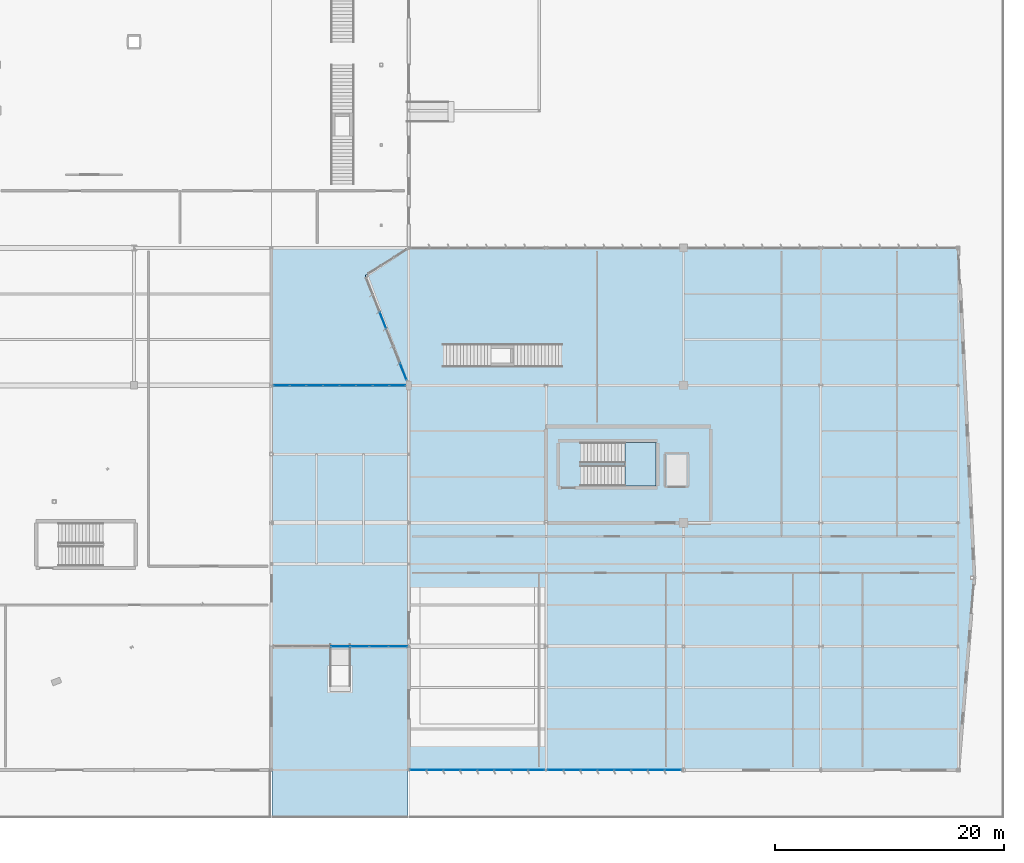
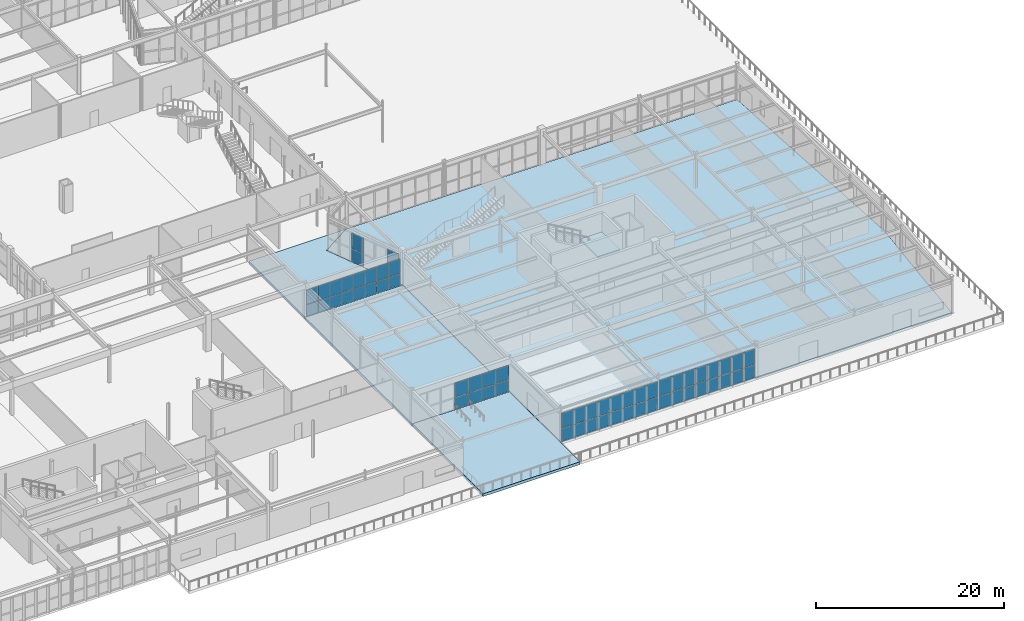
# One storey, part 122 of 199: 60 plates, 5 slabs, 6 elements without a shape of their own.
"""IFC4 building model written with IfcOpenShell, lengths in metres."""

from ifc_helpers import new_model, si_unit, direction, frame, origin, origin_2d, place, context, subcontext, project, spatial, polyline, rectangle, outline, extrude, material, layer, layer_set, type_object, element, aggregate, save


model = new_model("IFC4")

# Units and contexts
model_context = context("Model", 3, precision=1e-05, world=origin(), true_north=direction((0.0, 1.0)))
body_context = subcontext(model_context, "Body", "Model", "MODEL_VIEW")
ifc_project = project(units=[si_unit("LENGTHUNIT", "METRE"), si_unit("AREAUNIT", "SQUARE_METRE"), si_unit("VOLUMEUNIT", "CUBIC_METRE"), si_unit("PLANEANGLEUNIT", "RADIAN"), si_unit("MASSUNIT", "GRAM", prefix="KILO")], contexts=[model_context])

# Site, building, storey
site_placement = place(None, origin())
site = spatial("IfcSite", under=ifc_project, at=site_placement, CompositionType="ELEMENT")
building_placement = place(site_placement, origin())
building = spatial("IfcBuilding", under=site, at=building_placement, Name="Tarnwether General Hospital", CompositionType="ELEMENT")
storey_placement = place(building_placement, origin())
storey = spatial("IfcBuildingStorey", under=building, at=storey_placement, Name="L00", CompositionType="ELEMENT", Elevation=0.0)

# Curtain wall, plates
ifc_material_1 = material(Name="Anodised aluminium", Category="aluminium")
ifc_layer_1 = layer(ifc_material_1, 0.159912109375)
ifc_layer_set_1 = layer_set([ifc_layer_1], Name="Anodised aluminium")
curtain_wall_type_1 = type_object("IfcCurtainWallType", Name="CW-18", PredefinedType="NOTDEFINED", material=ifc_layer_set_1)
curtain_wall_1_placement = place(storey_placement, origin())
curtain_wall_1 = element("IfcCurtainWall", 1, at=curtain_wall_1_placement, inside=storey, type_object=curtain_wall_type_1, Name="Curtain Wall CWG-L00-1678_0-0284", PredefinedType="NOTDEFINED")
ifc_material_2 = material(Name="Double glazed low-E glass", Category="glass")
ifc_layer_2 = layer(ifc_material_2, 0.028076171875)
ifc_layer_set_2 = layer_set([ifc_layer_2], Name="Double glazed low-E glass")
plate_type = type_object("IfcPlateType", Name="PT-CWP1", PredefinedType="CURTAIN_PANEL", material=ifc_layer_set_2)
plate_1_placement = place(storey_placement, frame((167.092041015625, 0.0, 0.06005859375), z_axis=(0.0, 0.0, 1.0), x_axis=(-1.0, 0.0, 0.0)))
plate_1 = element("IfcPlate", 2, at=plate_1_placement, type_object=plate_type, Name="CW-18 panel 1.1", PredefinedType="CURTAIN_PANEL", context=body_context, shape_type="SweptSolid", body=[
    extrude(rectangle(XDim=1.379638671875, YDim=0.028076171875, at=origin_2d()), origin(), (0.0, 0.0, 1.0), 1.628173828125),
])
plate_2_placement = place(storey_placement, frame((167.092041015625, 0.0, 1.748046875), z_axis=(0.0, 0.0, 1.0), x_axis=(-1.0, 0.0, 0.0)))
plate_2 = element("IfcPlate", 3, at=plate_2_placement, type_object=plate_type, Name="CW-18 panel 1.2", PredefinedType="CURTAIN_PANEL", context=body_context, shape_type="SweptSolid", body=[
    extrude(rectangle(XDim=1.379638671875, YDim=0.028076171875, at=origin_2d()), origin(), (0.0, 0.0, 1.0), 2.010009765625),
])
plate_3_placement = place(storey_placement, frame((165.637451171875, 0.0, 0.06005859375), z_axis=(0.0, 0.0, 1.0), x_axis=(-1.0, 0.0, 0.0)))
plate_3 = element("IfcPlate", 4, at=plate_3_placement, type_object=plate_type, Name="CW-18 panel 2.1", PredefinedType="CURTAIN_PANEL", context=body_context, shape_type="SweptSolid", body=[
    extrude(rectangle(XDim=1.40966796875, YDim=0.028076171875, at=origin_2d()), origin(), (0.0, 0.0, 1.0), 1.628173828125),
])
plate_4_placement = place(storey_placement, frame((165.637451171875, 0.0, 1.748046875), z_axis=(0.0, 0.0, 1.0), x_axis=(-1.0, 0.0, 0.0)))
plate_4 = element("IfcPlate", 5, at=plate_4_placement, type_object=plate_type, Name="CW-18 panel 2.2", PredefinedType="CURTAIN_PANEL", context=body_context, shape_type="SweptSolid", body=[
    extrude(rectangle(XDim=1.40966796875, YDim=0.028076171875, at=origin_2d()), origin(), (0.0, 0.0, 1.0), 2.010009765625),
])
plate_5_placement = place(storey_placement, frame((164.167724609375, 0.0, 0.06005859375), z_axis=(0.0, 0.0, 1.0), x_axis=(-1.0, 0.0, 0.0)))
plate_5 = element("IfcPlate", 6, at=plate_5_placement, type_object=plate_type, Name="CW-18 panel 3.1", PredefinedType="CURTAIN_PANEL", context=body_context, shape_type="SweptSolid", body=[
    extrude(rectangle(XDim=1.40966796875, YDim=0.028076171875, at=origin_2d()), origin(), (0.0, 0.0, 1.0), 1.628173828125),
])
plate_6_placement = place(storey_placement, frame((164.167724609375, 0.0, 1.748046875), z_axis=(0.0, 0.0, 1.0), x_axis=(-1.0, 0.0, 0.0)))
plate_6 = element("IfcPlate", 7, at=plate_6_placement, type_object=plate_type, Name="CW-18 panel 3.2", PredefinedType="CURTAIN_PANEL", context=body_context, shape_type="SweptSolid", body=[
    extrude(rectangle(XDim=1.40966796875, YDim=0.028076171875, at=origin_2d()), origin(), (0.0, 0.0, 1.0), 2.010009765625),
])
plate_7_placement = place(storey_placement, frame((162.69775390625, 0.0, 0.06005859375), z_axis=(0.0, 0.0, 1.0), x_axis=(-1.0, 0.0, 0.0)))
plate_7 = element("IfcPlate", 8, at=plate_7_placement, type_object=plate_type, Name="CW-18 panel 4.1", PredefinedType="CURTAIN_PANEL", context=body_context, shape_type="SweptSolid", body=[
    extrude(rectangle(XDim=1.40966796875, YDim=0.028076171875, at=origin_2d()), origin(), (0.0, 0.0, 1.0), 1.628173828125),
])
plate_8_placement = place(storey_placement, frame((162.69775390625, 0.0, 1.748046875), z_axis=(0.0, 0.0, 1.0), x_axis=(-1.0, 0.0, 0.0)))
plate_8 = element("IfcPlate", 9, at=plate_8_placement, type_object=plate_type, Name="CW-18 panel 4.2", PredefinedType="CURTAIN_PANEL", context=body_context, shape_type="SweptSolid", body=[
    extrude(rectangle(XDim=1.40966796875, YDim=0.028076171875, at=origin_2d()), origin(), (0.0, 0.0, 1.0), 2.010009765625),
])
plate_9_placement = place(storey_placement, frame((161.22802734375, 0.0, 0.06005859375), z_axis=(0.0, 0.0, 1.0), x_axis=(-1.0, 0.0, 0.0)))
plate_9 = element("IfcPlate", 10, at=plate_9_placement, type_object=plate_type, Name="CW-18 panel 5.1", PredefinedType="CURTAIN_PANEL", context=body_context, shape_type="SweptSolid", body=[
    extrude(rectangle(XDim=1.40966796875, YDim=0.028076171875, at=origin_2d()), origin(), (0.0, 0.0, 1.0), 1.628173828125),
])
plate_10_placement = place(storey_placement, frame((161.22802734375, 0.0, 1.748046875), z_axis=(0.0, 0.0, 1.0), x_axis=(-1.0, 0.0, 0.0)))
plate_10 = element("IfcPlate", 11, at=plate_10_placement, type_object=plate_type, Name="CW-18 panel 5.2", PredefinedType="CURTAIN_PANEL", context=body_context, shape_type="SweptSolid", body=[
    extrude(rectangle(XDim=1.40966796875, YDim=0.028076171875, at=origin_2d()), origin(), (0.0, 0.0, 1.0), 2.010009765625),
])
plate_11_placement = place(storey_placement, frame((159.75830078125, 0.0, 0.06005859375), z_axis=(0.0, 0.0, 1.0), x_axis=(-1.0, 0.0, 0.0)))
plate_11 = element("IfcPlate", 12, at=plate_11_placement, type_object=plate_type, Name="CW-18 panel 6.1", PredefinedType="CURTAIN_PANEL", context=body_context, shape_type="SweptSolid", body=[
    extrude(rectangle(XDim=1.40966796875, YDim=0.028076171875, at=origin_2d()), origin(), (0.0, 0.0, 1.0), 1.628173828125),
])
plate_12_placement = place(storey_placement, frame((159.75830078125, 0.0, 1.748046875), z_axis=(0.0, 0.0, 1.0), x_axis=(-1.0, 0.0, 0.0)))
plate_12 = element("IfcPlate", 13, at=plate_12_placement, type_object=plate_type, Name="CW-18 panel 6.2", PredefinedType="CURTAIN_PANEL", context=body_context, shape_type="SweptSolid", body=[
    extrude(rectangle(XDim=1.40966796875, YDim=0.028076171875, at=origin_2d()), origin(), (0.0, 0.0, 1.0), 2.010009765625),
])
plate_13_placement = place(storey_placement, frame((158.28857421875, 0.0, 0.06005859375), z_axis=(0.0, 0.0, 1.0), x_axis=(-1.0, 0.0, 0.0)))
plate_13 = element("IfcPlate", 14, at=plate_13_placement, type_object=plate_type, Name="CW-18 panel 7.1", PredefinedType="CURTAIN_PANEL", context=body_context, shape_type="SweptSolid", body=[
    extrude(rectangle(XDim=1.40966796875, YDim=0.028076171875, at=origin_2d()), origin(), (0.0, 0.0, 1.0), 1.628173828125),
])
plate_14_placement = place(storey_placement, frame((158.28857421875, 0.0, 1.748046875), z_axis=(0.0, 0.0, 1.0), x_axis=(-1.0, 0.0, 0.0)))
plate_14 = element("IfcPlate", 15, at=plate_14_placement, type_object=plate_type, Name="CW-18 panel 7.2", PredefinedType="CURTAIN_PANEL", context=body_context, shape_type="SweptSolid", body=[
    extrude(rectangle(XDim=1.40966796875, YDim=0.028076171875, at=origin_2d()), origin(), (0.0, 0.0, 1.0), 2.010009765625),
])
plate_15_placement = place(storey_placement, frame((156.833984375, 0.0, 0.06005859375), z_axis=(0.0, 0.0, 1.0), x_axis=(-1.0, 0.0, 0.0)))
plate_15 = element("IfcPlate", 16, at=plate_15_placement, type_object=plate_type, Name="CW-18 panel 8.1", PredefinedType="CURTAIN_PANEL", context=body_context, shape_type="SweptSolid", body=[
    extrude(rectangle(XDim=1.379638671875, YDim=0.028076171875, at=origin_2d()), origin(), (0.0, 0.0, 1.0), 1.628173828125),
])
plate_16_placement = place(storey_placement, frame((156.833984375, 0.0, 1.748046875), z_axis=(0.0, 0.0, 1.0), x_axis=(-1.0, 0.0, 0.0)))
plate_16 = element("IfcPlate", 17, at=plate_16_placement, type_object=plate_type, Name="CW-18 panel 8.2", PredefinedType="CURTAIN_PANEL", context=body_context, shape_type="SweptSolid", body=[
    extrude(rectangle(XDim=1.379638671875, YDim=0.028076171875, at=origin_2d()), origin(), (0.0, 0.0, 1.0), 2.010009765625),
])
aggregate(curtain_wall_1, [plate_1, plate_2, plate_3, plate_4, plate_5, plate_6, plate_7, plate_8, plate_9, plate_10, plate_11, plate_12, plate_13, plate_14, plate_15, plate_16])

curtain_wall_2_placement = place(storey_placement, origin())
curtain_wall_2 = element("IfcCurtainWall", 18, at=curtain_wall_2_placement, inside=storey, type_object=curtain_wall_type_1, Name="Curtain Wall CWG-L00-1559_0-0285", PredefinedType="NOTDEFINED")
plate_17_placement = place(storey_placement, frame((155.16162109375, 0.0, 0.06005859375), z_axis=(0.0, 0.0, 1.0), x_axis=(-1.0, 0.0, 0.0)))
plate_17 = element("IfcPlate", 19, at=plate_17_placement, type_object=plate_type, Name="CW-18 panel 1.1", PredefinedType="CURTAIN_PANEL", context=body_context, shape_type="SweptSolid", body=[
    extrude(rectangle(XDim=1.388916015625, YDim=0.028076171875, at=origin_2d()), origin(), (0.0, 0.0, 1.0), 1.592041015625),
])
plate_18_placement = place(storey_placement, frame((155.16162109375, 0.0, 1.712158203125), z_axis=(0.0, 0.0, 1.0), x_axis=(-1.0, 0.0, 0.0)))
plate_18 = element("IfcPlate", 20, at=plate_18_placement, type_object=plate_type, Name="CW-18 panel 1.2", PredefinedType="CURTAIN_PANEL", context=body_context, shape_type="SweptSolid", body=[
    extrude(rectangle(XDim=1.388916015625, YDim=0.028076171875, at=origin_2d()), origin(), (0.0, 0.0, 1.0), 1.9658203125),
])
plate_19_placement = place(storey_placement, frame((153.697509765625, 0.0, 0.06005859375), z_axis=(0.0, 0.0, 1.0), x_axis=(-1.0, 0.0, 0.0)))
plate_19 = element("IfcPlate", 21, at=plate_19_placement, type_object=plate_type, Name="CW-18 panel 2.1", PredefinedType="CURTAIN_PANEL", context=body_context, shape_type="SweptSolid", body=[
    extrude(rectangle(XDim=1.4189453125, YDim=0.028076171875, at=origin_2d()), origin(), (0.0, 0.0, 1.0), 1.592041015625),
])
plate_20_placement = place(storey_placement, frame((153.697509765625, 0.0, 1.712158203125), z_axis=(0.0, 0.0, 1.0), x_axis=(-1.0, 0.0, 0.0)))
plate_20 = element("IfcPlate", 22, at=plate_20_placement, type_object=plate_type, Name="CW-18 panel 2.2", PredefinedType="CURTAIN_PANEL", context=body_context, shape_type="SweptSolid", body=[
    extrude(rectangle(XDim=1.4189453125, YDim=0.028076171875, at=origin_2d()), origin(), (0.0, 0.0, 1.0), 1.9658203125),
])
plate_21_placement = place(storey_placement, frame((152.218505859375, 0.0, 0.06005859375), z_axis=(0.0, 0.0, 1.0), x_axis=(-1.0, 0.0, 0.0)))
plate_21 = element("IfcPlate", 23, at=plate_21_placement, type_object=plate_type, Name="CW-18 panel 3.1", PredefinedType="CURTAIN_PANEL", context=body_context, shape_type="SweptSolid", body=[
    extrude(rectangle(XDim=1.4189453125, YDim=0.028076171875, at=origin_2d()), origin(), (0.0, 0.0, 1.0), 1.592041015625),
])
plate_22_placement = place(storey_placement, frame((152.218505859375, 0.0, 1.712158203125), z_axis=(0.0, 0.0, 1.0), x_axis=(-1.0, 0.0, 0.0)))
plate_22 = element("IfcPlate", 24, at=plate_22_placement, type_object=plate_type, Name="CW-18 panel 3.2", PredefinedType="CURTAIN_PANEL", context=body_context, shape_type="SweptSolid", body=[
    extrude(rectangle(XDim=1.4189453125, YDim=0.028076171875, at=origin_2d()), origin(), (0.0, 0.0, 1.0), 1.9658203125),
])
plate_23_placement = place(storey_placement, frame((150.739501953125, 0.0, 0.06005859375), z_axis=(0.0, 0.0, 1.0), x_axis=(-1.0, 0.0, 0.0)))
plate_23 = element("IfcPlate", 25, at=plate_23_placement, type_object=plate_type, Name="CW-18 panel 4.1", PredefinedType="CURTAIN_PANEL", context=body_context, shape_type="SweptSolid", body=[
    extrude(rectangle(XDim=1.4189453125, YDim=0.028076171875, at=origin_2d()), origin(), (0.0, 0.0, 1.0), 1.592041015625),
])
plate_24_placement = place(storey_placement, frame((150.739501953125, 0.0, 1.712158203125), z_axis=(0.0, 0.0, 1.0), x_axis=(-1.0, 0.0, 0.0)))
plate_24 = element("IfcPlate", 26, at=plate_24_placement, type_object=plate_type, Name="CW-18 panel 4.2", PredefinedType="CURTAIN_PANEL", context=body_context, shape_type="SweptSolid", body=[
    extrude(rectangle(XDim=1.4189453125, YDim=0.028076171875, at=origin_2d()), origin(), (0.0, 0.0, 1.0), 1.9658203125),
])
plate_25_placement = place(storey_placement, frame((149.260498046875, 0.0, 0.06005859375), z_axis=(0.0, 0.0, 1.0), x_axis=(-1.0, 0.0, 0.0)))
plate_25 = element("IfcPlate", 27, at=plate_25_placement, type_object=plate_type, Name="CW-18 panel 5.1", PredefinedType="CURTAIN_PANEL", context=body_context, shape_type="SweptSolid", body=[
    extrude(rectangle(XDim=1.4189453125, YDim=0.028076171875, at=origin_2d()), origin(), (0.0, 0.0, 1.0), 1.592041015625),
])
plate_26_placement = place(storey_placement, frame((149.260498046875, 0.0, 1.712158203125), z_axis=(0.0, 0.0, 1.0), x_axis=(-1.0, 0.0, 0.0)))
plate_26 = element("IfcPlate", 28, at=plate_26_placement, type_object=plate_type, Name="CW-18 panel 5.2", PredefinedType="CURTAIN_PANEL", context=body_context, shape_type="SweptSolid", body=[
    extrude(rectangle(XDim=1.4189453125, YDim=0.028076171875, at=origin_2d()), origin(), (0.0, 0.0, 1.0), 1.9658203125),
])
plate_27_placement = place(storey_placement, frame((147.781494140625, 0.0, 0.06005859375), z_axis=(0.0, 0.0, 1.0), x_axis=(-1.0, 0.0, 0.0)))
plate_27 = element("IfcPlate", 29, at=plate_27_placement, type_object=plate_type, Name="CW-18 panel 6.1", PredefinedType="CURTAIN_PANEL", context=body_context, shape_type="SweptSolid", body=[
    extrude(rectangle(XDim=1.4189453125, YDim=0.028076171875, at=origin_2d()), origin(), (0.0, 0.0, 1.0), 1.592041015625),
])
plate_28_placement = place(storey_placement, frame((147.781494140625, 0.0, 1.712158203125), z_axis=(0.0, 0.0, 1.0), x_axis=(-1.0, 0.0, 0.0)))
plate_28 = element("IfcPlate", 30, at=plate_28_placement, type_object=plate_type, Name="CW-18 panel 6.2", PredefinedType="CURTAIN_PANEL", context=body_context, shape_type="SweptSolid", body=[
    extrude(rectangle(XDim=1.4189453125, YDim=0.028076171875, at=origin_2d()), origin(), (0.0, 0.0, 1.0), 1.9658203125),
])
plate_29_placement = place(storey_placement, frame((146.302490234375, 0.0, 0.06005859375), z_axis=(0.0, 0.0, 1.0), x_axis=(-1.0, 0.0, 0.0)))
plate_29 = element("IfcPlate", 31, at=plate_29_placement, type_object=plate_type, Name="CW-18 panel 7.1", PredefinedType="CURTAIN_PANEL", context=body_context, shape_type="SweptSolid", body=[
    extrude(rectangle(XDim=1.4189453125, YDim=0.028076171875, at=origin_2d()), origin(), (0.0, 0.0, 1.0), 1.592041015625),
])
plate_30_placement = place(storey_placement, frame((146.302490234375, 0.0, 1.712158203125), z_axis=(0.0, 0.0, 1.0), x_axis=(-1.0, 0.0, 0.0)))
plate_30 = element("IfcPlate", 32, at=plate_30_placement, type_object=plate_type, Name="CW-18 panel 7.2", PredefinedType="CURTAIN_PANEL", context=body_context, shape_type="SweptSolid", body=[
    extrude(rectangle(XDim=1.4189453125, YDim=0.028076171875, at=origin_2d()), origin(), (0.0, 0.0, 1.0), 1.9658203125),
])
plate_31_placement = place(storey_placement, frame((144.83837890625, 0.0, 0.06005859375), z_axis=(0.0, 0.0, 1.0), x_axis=(-1.0, 0.0, 0.0)))
plate_31 = element("IfcPlate", 33, at=plate_31_placement, type_object=plate_type, Name="CW-18 panel 8.1", PredefinedType="CURTAIN_PANEL", context=body_context, shape_type="SweptSolid", body=[
    extrude(rectangle(XDim=1.388916015625, YDim=0.028076171875, at=origin_2d()), origin(), (0.0, 0.0, 1.0), 1.592041015625),
])
plate_32_placement = place(storey_placement, frame((144.83837890625, 0.0, 1.712158203125), z_axis=(0.0, 0.0, 1.0), x_axis=(-1.0, 0.0, 0.0)))
plate_32 = element("IfcPlate", 34, at=plate_32_placement, type_object=plate_type, Name="CW-18 panel 8.2", PredefinedType="CURTAIN_PANEL", context=body_context, shape_type="SweptSolid", body=[
    extrude(rectangle(XDim=1.388916015625, YDim=0.028076171875, at=origin_2d()), origin(), (0.0, 0.0, 1.0), 1.9658203125),
])
aggregate(curtain_wall_2, [plate_17, plate_18, plate_19, plate_20, plate_21, plate_22, plate_23, plate_24, plate_25, plate_26, plate_27, plate_28, plate_29, plate_30, plate_31, plate_32])

ifc_material_3 = material(Name="Anodised aluminium", Category="aluminium")
ifc_layer_3 = layer(ifc_material_3, 0.159912109375)
ifc_layer_set_3 = layer_set([ifc_layer_3], Name="Anodised aluminium")
curtain_wall_type_2 = type_object("IfcCurtainWallType", Name="CW-20", PredefinedType="NOTDEFINED", material=ifc_layer_set_3)
curtain_wall_3_placement = place(storey_placement, origin())
curtain_wall_3 = element("IfcCurtainWall", 35, at=curtain_wall_3_placement, inside=storey, type_object=curtain_wall_type_2, Name="Curtain Wall CWG-L00-1438_340-0294", PredefinedType="NOTDEFINED")
plate_33_placement = place(storey_placement, frame((143.52392578125, 34.802001953125, 0.06005859375), z_axis=(0.0, 0.0, 1.0), x_axis=(-0.36803540953, 0.929811775217, 0.0)))
plate_33 = element("IfcPlate", 36, at=plate_33_placement, type_object=plate_type, Name="CW-20 panel 1.1", PredefinedType="CURTAIN_PANEL", context=body_context, shape_type="SweptSolid", body=[
    extrude(rectangle(XDim=1.521240234375, YDim=0.028076171875, at=origin_2d()), origin(), (0.0, 0.0, 1.0), 1.632568359375),
])
plate_34_placement = place(storey_placement, frame((143.52392578125, 34.802001953125, 1.75244140625), z_axis=(0.0, 0.0, 1.0), x_axis=(-0.36803540953, 0.929811775217, 0.0)))
plate_34 = element("IfcPlate", 37, at=plate_34_placement, type_object=plate_type, Name="CW-20 panel 1.2", PredefinedType="CURTAIN_PANEL", context=body_context, shape_type="SweptSolid", body=[
    extrude(rectangle(XDim=1.521240234375, YDim=0.028076171875, at=origin_2d()), origin(), (0.0, 0.0, 1.0), 2.015380859375),
])
plate_35_placement = place(storey_placement, frame((141.75048828125, 39.282470703125, 0.06005859375), z_axis=(0.0, 0.0, 1.0), x_axis=(-0.36803540953, 0.929811775217, 0.0)))
plate_35 = element("IfcPlate", 38, at=plate_35_placement, type_object=plate_type, Name="CW-20 panel 4.1", PredefinedType="CURTAIN_PANEL", context=body_context, shape_type="SweptSolid", body=[
    extrude(rectangle(XDim=1.55126953125, YDim=0.028076171875, at=origin_2d()), origin(), (0.0, 0.0, 1.0), 1.632568359375),
])
plate_36_placement = place(storey_placement, frame((141.75048828125, 39.282470703125, 1.75244140625), z_axis=(0.0, 0.0, 1.0), x_axis=(-0.36803540953, 0.929811775217, 0.0)))
plate_36 = element("IfcPlate", 39, at=plate_36_placement, type_object=plate_type, Name="CW-20 panel 4.2", PredefinedType="CURTAIN_PANEL", context=body_context, shape_type="SweptSolid", body=[
    extrude(rectangle(XDim=1.55126953125, YDim=0.028076171875, at=origin_2d()), origin(), (0.0, 0.0, 1.0), 2.015380859375),
])
aggregate(curtain_wall_3, [plate_33, plate_34, plate_35, plate_36])

ifc_material_4 = material(Name="Anodised aluminium", Category="aluminium")
ifc_layer_4 = layer(ifc_material_4, 0.159912109375)
ifc_layer_set_4 = layer_set([ifc_layer_4], Name="Anodised aluminium")
curtain_wall_type_3 = type_object("IfcCurtainWallType", Name="CW-09", PredefinedType="NOTDEFINED", material=ifc_layer_set_4)
curtain_wall_4_placement = place(storey_placement, origin())
curtain_wall_4 = element("IfcCurtainWall", 40, at=curtain_wall_4_placement, inside=storey, type_object=curtain_wall_type_3, Name="Curtain Wall CWG-L00-1322_336-0313", PredefinedType="NOTDEFINED")
plate_37_placement = place(storey_placement, frame((132.900634765625, 33.60009765625, 0.06005859375), z_axis=(0.0, 0.0, 1.0), x_axis=(1.0, 0.0, 0.0)))
plate_37 = element("IfcPlate", 41, at=plate_37_placement, type_object=plate_type, Name="CW-09 panel 1.1", PredefinedType="CURTAIN_PANEL", context=body_context, shape_type="SweptSolid", body=[
    extrude(rectangle(XDim=1.357421875, YDim=0.028076171875, at=origin_2d()), origin(), (0.0, 0.0, 1.0), 1.49853515625),
])
plate_38_placement = place(storey_placement, frame((132.900634765625, 33.60009765625, 1.618408203125), z_axis=(0.0, 0.0, 1.0), x_axis=(1.0, 0.0, 0.0)))
plate_38 = element("IfcPlate", 42, at=plate_38_placement, type_object=plate_type, Name="CW-09 panel 1.2", PredefinedType="CURTAIN_PANEL", context=body_context, shape_type="SweptSolid", body=[
    extrude(rectangle(XDim=1.357421875, YDim=0.028076171875, at=origin_2d()), origin(), (0.0, 0.0, 1.0), 1.8515625),
])
plate_39_placement = place(storey_placement, frame((134.333251953125, 33.60009765625, 0.06005859375), z_axis=(0.0, 0.0, 1.0), x_axis=(1.0, 0.0, 0.0)))
plate_39 = element("IfcPlate", 43, at=plate_39_placement, type_object=plate_type, Name="CW-09 panel 2.1", PredefinedType="CURTAIN_PANEL", context=body_context, shape_type="SweptSolid", body=[
    extrude(rectangle(XDim=1.387451171875, YDim=0.028076171875, at=origin_2d()), origin(), (0.0, 0.0, 1.0), 1.49853515625),
])
plate_40_placement = place(storey_placement, frame((134.333251953125, 33.60009765625, 1.618408203125), z_axis=(0.0, 0.0, 1.0), x_axis=(1.0, 0.0, 0.0)))
plate_40 = element("IfcPlate", 44, at=plate_40_placement, type_object=plate_type, Name="CW-09 panel 2.2", PredefinedType="CURTAIN_PANEL", context=body_context, shape_type="SweptSolid", body=[
    extrude(rectangle(XDim=1.387451171875, YDim=0.028076171875, at=origin_2d()), origin(), (0.0, 0.0, 1.0), 1.8515625),
])
plate_41_placement = place(storey_placement, frame((135.78076171875, 33.60009765625, 0.06005859375), z_axis=(0.0, 0.0, 1.0), x_axis=(1.0, 0.0, 0.0)))
plate_41 = element("IfcPlate", 45, at=plate_41_placement, type_object=plate_type, Name="CW-09 panel 3.1", PredefinedType="CURTAIN_PANEL", context=body_context, shape_type="SweptSolid", body=[
    extrude(rectangle(XDim=1.387451171875, YDim=0.028076171875, at=origin_2d()), origin(), (0.0, 0.0, 1.0), 1.49853515625),
])
plate_42_placement = place(storey_placement, frame((135.78076171875, 33.60009765625, 1.618408203125), z_axis=(0.0, 0.0, 1.0), x_axis=(1.0, 0.0, 0.0)))
plate_42 = element("IfcPlate", 46, at=plate_42_placement, type_object=plate_type, Name="CW-09 panel 3.2", PredefinedType="CURTAIN_PANEL", context=body_context, shape_type="SweptSolid", body=[
    extrude(rectangle(XDim=1.387451171875, YDim=0.028076171875, at=origin_2d()), origin(), (0.0, 0.0, 1.0), 1.8515625),
])
plate_43_placement = place(storey_placement, frame((137.228271484375, 33.60009765625, 0.06005859375), z_axis=(0.0, 0.0, 1.0), x_axis=(1.0, 0.0, 0.0)))
plate_43 = element("IfcPlate", 47, at=plate_43_placement, type_object=plate_type, Name="CW-09 panel 4.1", PredefinedType="CURTAIN_PANEL", context=body_context, shape_type="SweptSolid", body=[
    extrude(rectangle(XDim=1.387451171875, YDim=0.028076171875, at=origin_2d()), origin(), (0.0, 0.0, 1.0), 1.49853515625),
])
plate_44_placement = place(storey_placement, frame((137.228271484375, 33.60009765625, 1.618408203125), z_axis=(0.0, 0.0, 1.0), x_axis=(1.0, 0.0, 0.0)))
plate_44 = element("IfcPlate", 48, at=plate_44_placement, type_object=plate_type, Name="CW-09 panel 4.2", PredefinedType="CURTAIN_PANEL", context=body_context, shape_type="SweptSolid", body=[
    extrude(rectangle(XDim=1.387451171875, YDim=0.028076171875, at=origin_2d()), origin(), (0.0, 0.0, 1.0), 1.8515625),
])
plate_45_placement = place(storey_placement, frame((138.67578125, 33.60009765625, 0.06005859375), z_axis=(0.0, 0.0, 1.0), x_axis=(1.0, 0.0, 0.0)))
plate_45 = element("IfcPlate", 49, at=plate_45_placement, type_object=plate_type, Name="CW-09 panel 5.1", PredefinedType="CURTAIN_PANEL", context=body_context, shape_type="SweptSolid", body=[
    extrude(rectangle(XDim=1.387451171875, YDim=0.028076171875, at=origin_2d()), origin(), (0.0, 0.0, 1.0), 1.49853515625),
])
plate_46_placement = place(storey_placement, frame((138.67578125, 33.60009765625, 1.618408203125), z_axis=(0.0, 0.0, 1.0), x_axis=(1.0, 0.0, 0.0)))
plate_46 = element("IfcPlate", 50, at=plate_46_placement, type_object=plate_type, Name="CW-09 panel 5.2", PredefinedType="CURTAIN_PANEL", context=body_context, shape_type="SweptSolid", body=[
    extrude(rectangle(XDim=1.387451171875, YDim=0.028076171875, at=origin_2d()), origin(), (0.0, 0.0, 1.0), 1.8515625),
])
plate_47_placement = place(storey_placement, frame((140.123291015625, 33.60009765625, 0.06005859375), z_axis=(0.0, 0.0, 1.0), x_axis=(1.0, 0.0, 0.0)))
plate_47 = element("IfcPlate", 51, at=plate_47_placement, type_object=plate_type, Name="CW-09 panel 6.1", PredefinedType="CURTAIN_PANEL", context=body_context, shape_type="SweptSolid", body=[
    extrude(rectangle(XDim=1.387451171875, YDim=0.028076171875, at=origin_2d()), origin(), (0.0, 0.0, 1.0), 1.49853515625),
])
plate_48_placement = place(storey_placement, frame((140.123291015625, 33.60009765625, 1.618408203125), z_axis=(0.0, 0.0, 1.0), x_axis=(1.0, 0.0, 0.0)))
plate_48 = element("IfcPlate", 52, at=plate_48_placement, type_object=plate_type, Name="CW-09 panel 6.2", PredefinedType="CURTAIN_PANEL", context=body_context, shape_type="SweptSolid", body=[
    extrude(rectangle(XDim=1.387451171875, YDim=0.028076171875, at=origin_2d()), origin(), (0.0, 0.0, 1.0), 1.8515625),
])
plate_49_placement = place(storey_placement, frame((141.57080078125, 33.60009765625, 0.06005859375), z_axis=(0.0, 0.0, 1.0), x_axis=(1.0, 0.0, 0.0)))
plate_49 = element("IfcPlate", 53, at=plate_49_placement, type_object=plate_type, Name="CW-09 panel 7.1", PredefinedType="CURTAIN_PANEL", context=body_context, shape_type="SweptSolid", body=[
    extrude(rectangle(XDim=1.387451171875, YDim=0.028076171875, at=origin_2d()), origin(), (0.0, 0.0, 1.0), 1.49853515625),
])
plate_50_placement = place(storey_placement, frame((141.57080078125, 33.60009765625, 1.618408203125), z_axis=(0.0, 0.0, 1.0), x_axis=(1.0, 0.0, 0.0)))
plate_50 = element("IfcPlate", 54, at=plate_50_placement, type_object=plate_type, Name="CW-09 panel 7.2", PredefinedType="CURTAIN_PANEL", context=body_context, shape_type="SweptSolid", body=[
    extrude(rectangle(XDim=1.387451171875, YDim=0.028076171875, at=origin_2d()), origin(), (0.0, 0.0, 1.0), 1.8515625),
])
plate_51_placement = place(storey_placement, frame((143.003173828125, 33.60009765625, 0.06005859375), z_axis=(0.0, 0.0, 1.0), x_axis=(1.0, 0.0, 0.0)))
plate_51 = element("IfcPlate", 55, at=plate_51_placement, type_object=plate_type, Name="CW-09 panel 8.1", PredefinedType="CURTAIN_PANEL", context=body_context, shape_type="SweptSolid", body=[
    extrude(rectangle(XDim=1.357421875, YDim=0.028076171875, at=origin_2d()), origin(), (0.0, 0.0, 1.0), 1.49853515625),
])
plate_52_placement = place(storey_placement, frame((143.003173828125, 33.60009765625, 1.618408203125), z_axis=(0.0, 0.0, 1.0), x_axis=(1.0, 0.0, 0.0)))
plate_52 = element("IfcPlate", 56, at=plate_52_placement, type_object=plate_type, Name="CW-09 panel 8.2", PredefinedType="CURTAIN_PANEL", context=body_context, shape_type="SweptSolid", body=[
    extrude(rectangle(XDim=1.357421875, YDim=0.028076171875, at=origin_2d()), origin(), (0.0, 0.0, 1.0), 1.8515625),
])
aggregate(curtain_wall_4, [plate_37, plate_38, plate_39, plate_40, plate_41, plate_42, plate_43, plate_44, plate_45, plate_46, plate_47, plate_48, plate_49, plate_50, plate_51, plate_52])

ifc_material_5 = material(Name="Anodised aluminium", Category="aluminium")
ifc_layer_5 = layer(ifc_material_5, 0.159912109375)
ifc_layer_set_5 = layer_set([ifc_layer_5], Name="Anodised aluminium")
curtain_wall_type_4 = type_object("IfcCurtainWallType", Name="CW-10", PredefinedType="NOTDEFINED", material=ifc_layer_set_5)
curtain_wall_5_placement = place(storey_placement, origin())
curtain_wall_5 = element("IfcCurtainWall", 57, at=curtain_wall_5_placement, inside=storey, type_object=curtain_wall_type_4, Name="Curtain Wall CWG-L00-1439_108-0314", PredefinedType="NOTDEFINED")
plate_53_placement = place(storey_placement, frame((143.062744140625, 10.800048828125, 0.06005859375), z_axis=(0.0, 0.0, 1.0), x_axis=(-1.0, 0.0, 0.0)))
plate_53 = element("IfcPlate", 58, at=plate_53_placement, type_object=plate_type, Name="CW-10 panel 1.1", PredefinedType="CURTAIN_PANEL", context=body_context, shape_type="SweptSolid", body=[
    extrude(rectangle(XDim=1.58837890625, YDim=0.028076171875, at=origin_2d()), origin(), (0.0, 0.0, 1.0), 1.49853515625),
])
plate_54_placement = place(storey_placement, frame((143.062744140625, 10.800048828125, 1.618408203125), z_axis=(0.0, 0.0, 1.0), x_axis=(-1.0, 0.0, 0.0)))
plate_54 = element("IfcPlate", 59, at=plate_54_placement, type_object=plate_type, Name="CW-10 panel 1.2", PredefinedType="CURTAIN_PANEL", context=body_context, shape_type="SweptSolid", body=[
    extrude(rectangle(XDim=1.58837890625, YDim=0.028076171875, at=origin_2d()), origin(), (0.0, 0.0, 1.0), 1.8515625),
])
plate_55_placement = place(storey_placement, frame((141.3994140625, 10.800048828125, 0.06005859375), z_axis=(0.0, 0.0, 1.0), x_axis=(-1.0, 0.0, 0.0)))
plate_55 = element("IfcPlate", 60, at=plate_55_placement, type_object=plate_type, Name="CW-10 panel 2.1", PredefinedType="CURTAIN_PANEL", context=body_context, shape_type="SweptSolid", body=[
    extrude(rectangle(XDim=1.618408203125, YDim=0.028076171875, at=origin_2d()), origin(), (0.0, 0.0, 1.0), 1.49853515625),
])
plate_56_placement = place(storey_placement, frame((141.3994140625, 10.800048828125, 1.618408203125), z_axis=(0.0, 0.0, 1.0), x_axis=(-1.0, 0.0, 0.0)))
plate_56 = element("IfcPlate", 61, at=plate_56_placement, type_object=plate_type, Name="CW-10 panel 2.2", PredefinedType="CURTAIN_PANEL", context=body_context, shape_type="SweptSolid", body=[
    extrude(rectangle(XDim=1.618408203125, YDim=0.028076171875, at=origin_2d()), origin(), (0.0, 0.0, 1.0), 1.8515625),
])
plate_57_placement = place(storey_placement, frame((139.720947265625, 10.800048828125, 0.06005859375), z_axis=(0.0, 0.0, 1.0), x_axis=(-1.0, 0.0, 0.0)))
plate_57 = element("IfcPlate", 62, at=plate_57_placement, type_object=plate_type, Name="CW-10 panel 3.1", PredefinedType="CURTAIN_PANEL", context=body_context, shape_type="SweptSolid", body=[
    extrude(rectangle(XDim=1.618408203125, YDim=0.028076171875, at=origin_2d()), origin(), (0.0, 0.0, 1.0), 1.49853515625),
])
plate_58_placement = place(storey_placement, frame((139.720947265625, 10.800048828125, 1.618408203125), z_axis=(0.0, 0.0, 1.0), x_axis=(-1.0, 0.0, 0.0)))
plate_58 = element("IfcPlate", 63, at=plate_58_placement, type_object=plate_type, Name="CW-10 panel 3.2", PredefinedType="CURTAIN_PANEL", context=body_context, shape_type="SweptSolid", body=[
    extrude(rectangle(XDim=1.618408203125, YDim=0.028076171875, at=origin_2d()), origin(), (0.0, 0.0, 1.0), 1.8515625),
])
plate_59_placement = place(storey_placement, frame((138.04248046875, 10.800048828125, 0.06005859375), z_axis=(0.0, 0.0, 1.0), x_axis=(-1.0, 0.0, 0.0)))
plate_59 = element("IfcPlate", 64, at=plate_59_placement, type_object=plate_type, Name="CW-10 panel 4.1", PredefinedType="CURTAIN_PANEL", context=body_context, shape_type="SweptSolid", body=[
    extrude(rectangle(XDim=1.618408203125, YDim=0.028076171875, at=origin_2d()), origin(), (0.0, 0.0, 1.0), 1.49853515625),
])
plate_60_placement = place(storey_placement, frame((138.04248046875, 10.800048828125, 1.618408203125), z_axis=(0.0, 0.0, 1.0), x_axis=(-1.0, 0.0, 0.0)))
plate_60 = element("IfcPlate", 65, at=plate_60_placement, type_object=plate_type, Name="CW-10 panel 4.2", PredefinedType="CURTAIN_PANEL", context=body_context, shape_type="SweptSolid", body=[
    extrude(rectangle(XDim=1.618408203125, YDim=0.028076171875, at=origin_2d()), origin(), (0.0, 0.0, 1.0), 1.8515625),
])
aggregate(curtain_wall_5, [plate_53, plate_54, plate_55, plate_56, plate_57, plate_58, plate_59, plate_60])

# Slabs
ifc_material_6 = material(Name="Concrete 40 MPa", Category="concrete")
ifc_layer_6 = layer(ifc_material_6, 0.3798828125)
ifc_layer_set_6 = layer_set([ifc_layer_6], Name="Concrete 40 MPa")
slab_type_1 = type_object("IfcSlabType", Name="SL-BS300", PredefinedType="BASESLAB", material=ifc_layer_set_6)
slab_1_placement = place(storey_placement, frame((0.0, 0.0, -0.3798828125)))
element("IfcSlab", 66, at=slab_1_placement, inside=storey, type_object=slab_type_1, Name="L00 Public Passage South Slab SL-L00-PAS-S", PredefinedType="BASESLAB", context=body_context, shape_type="SweptSolid", body=[
    extrude(outline(polyline([(144.0, 10.800048828125), (144.0, 33.60009765625), (132.0, 33.60009765625), (132.0, 10.800048828125), (144.0, 10.800048828125)])), origin(), (0.0, 0.0, 1.0), 0.3798828125),
])
slab_2_placement = place(storey_placement, frame((0.0, 0.0, -0.3798828125)))
element("IfcSlab", 67, at=slab_2_placement, inside=storey, type_object=slab_type_1, Name="L00 Outpatient South Shard Base Slab SL-L00-V6S", PredefinedType="BASESLAB", context=body_context, shape_type="SweptSolid", body=[
    extrude(outline(polyline([(144.0, 0.0), (192.0, 0.0), (193.39990234375, 16.800048828125), (192.0, 45.60009765625), (144.0, 45.60009765625), (140.199951171875, 43.199951171875), (144.0, 33.60009765625), (144.0, 0.0)])), origin(), (0.0, 0.0, 1.0), 0.3798828125),
])

# Stair, slab
ifc_material_7 = material(Name="Concrete 40 MPa", Category="concrete")
stair_type = type_object("IfcStairType", Name="ST-DL48A", PredefinedType="HALF_TURN_STAIR", material=ifc_material_7)
stair_placement = place(storey_placement, origin())
stair = element("IfcStair", 68, at=stair_placement, inside=storey, type_object=stair_type, Name="L00 Exit Stair ST-05", PredefinedType="HALF_TURN_STAIR")
ifc_material_8 = material(Name="Concrete 40 MPa", Category="concrete")
ifc_layer_7 = layer(ifc_material_8, 0.199951171875)
ifc_layer_set_7 = layer_set([ifc_layer_7], Name="Concrete 40 MPa")
slab_type_2 = type_object("IfcSlabType", Name="SL-LD200", PredefinedType="LANDING", material=ifc_layer_set_7)
slab_3_placement = place(storey_placement, frame((0.0, 0.0, 2.199951171875)))
slab_3 = element("IfcSlab", 69, at=slab_3_placement, type_object=slab_type_2, Name="ST-05 landing 1", PredefinedType="LANDING", context=body_context, shape_type="SweptSolid", body=[
    extrude(outline(polyline([(162.89990234375, 24.800048828125), (165.60009765625, 24.800048828125), (165.60009765625, 28.60009765625), (162.89990234375, 28.60009765625), (162.89990234375, 24.800048828125)])), origin(), (0.0, 0.0, 1.0), 0.199951171875),
])
aggregate(stair, [slab_3])

# Slabs
ifc_material_9 = material(Name="Concrete 40 MPa", Category="concrete")
ifc_layer_8 = layer(ifc_material_9, 0.360107421875)
ifc_layer_set_8 = layer_set([ifc_layer_8], Name="Concrete 40 MPa")
slab_type_3 = type_object("IfcSlabType", Name="SL-TR240", PredefinedType="FLOOR", material=ifc_layer_set_8)
slab_4_placement = place(storey_placement, frame((0.0, 0.0, -0.360107421875)))
element("IfcSlab", 70, at=slab_4_placement, inside=storey, type_object=slab_type_3, Name="L00 Upper Scarp Arrival Plaza and Street Terrace SL-L00-PLAZA-P4", PredefinedType="FLOOR", context=body_context, shape_type="SweptSolid", body=[
    extrude(outline(polyline([(132.050048828125, -4.199951171875), (132.050048828125, 10.800048828125), (143.949951171875, 10.800048828125), (143.949951171875, -4.199951171875), (132.050048828125, -4.199951171875)])), origin(), (0.0, 0.0, 1.0), 0.360107421875),
])
slab_5_placement = place(storey_placement, frame((0.0, 0.0, -0.360107421875)))
element("IfcSlab", 71, at=slab_5_placement, inside=storey, type_object=slab_type_3, Name="L00 Upper Scarp Arrival Plaza and Street Terrace SL-L00-PLAZA-P6", PredefinedType="FLOOR", context=body_context, shape_type="SweptSolid", body=[
    extrude(outline(polyline([(143.949951171875, 33.72607421875), (143.949951171875, 33.60009765625), (132.050048828125, 33.60009765625), (132.050048828125, 45.60009765625), (143.949951171875, 45.60009765625), (143.949951171875, 45.568115234375), (140.199951171875, 43.199951171875), (143.949951171875, 33.72607421875)])), origin(), (0.0, 0.0, 1.0), 0.360107421875),
])

save(model, "model.ifc")
